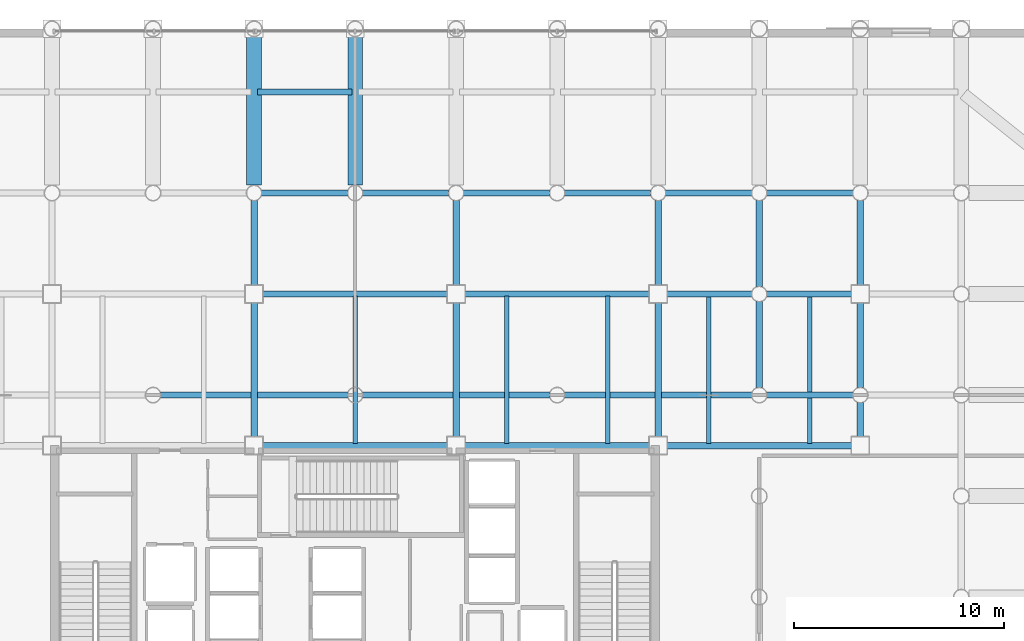
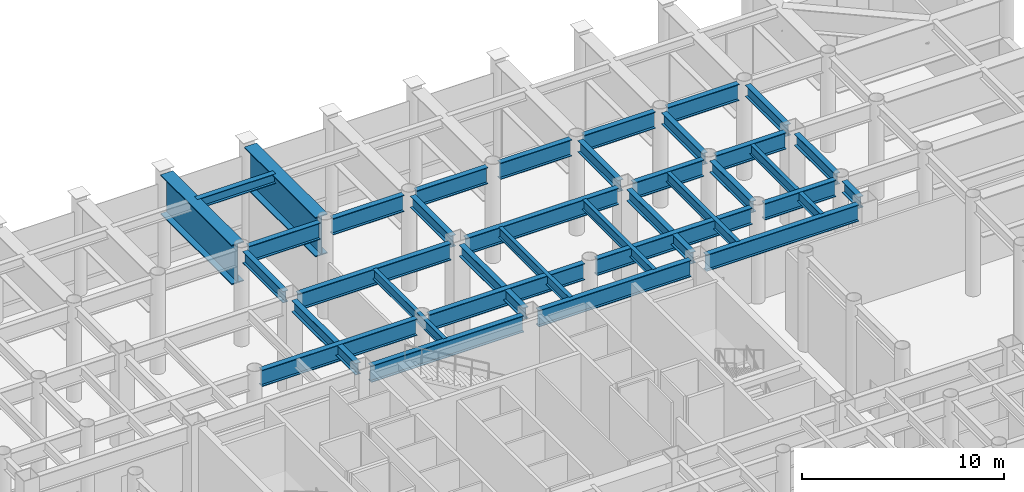
# One storey, part 11 of 26: 36 beams.
"""IFC4 building model written with IfcOpenShell, lengths in metres."""

from ifc_helpers import new_model, si_unit, direction, frame, origin, origin_2d, place, context, subcontext, project, spatial, i_section, extrude, material, material_profile, profile_set, type_object, element, save


model = new_model("IFC4")

# Units and contexts
model_context = context("Model", 3, precision=1e-05, world=origin(), true_north=direction((0.0, 1.0)))
body_context = subcontext(model_context, "Body", "Model", "MODEL_VIEW")
ifc_project = project(units=[si_unit("LENGTHUNIT", "METRE"), si_unit("AREAUNIT", "SQUARE_METRE"), si_unit("VOLUMEUNIT", "CUBIC_METRE"), si_unit("PLANEANGLEUNIT", "RADIAN"), si_unit("MASSUNIT", "GRAM", prefix="KILO")], contexts=[model_context])

# Site, building, storey
site_placement = place(None, origin())
site = spatial("IfcSite", under=ifc_project, at=site_placement, CompositionType="ELEMENT")
building_placement = place(site_placement, origin())
building = spatial("IfcBuilding", under=site, at=building_placement, Name="Kallvorn Hotel Tower", CompositionType="ELEMENT")
storey_placement = place(building_placement, frame((0.0, 0.0, 6.0)))
storey = spatial("IfcBuildingStorey", under=building, at=storey_placement, Name="L01", CompositionType="ELEMENT", Elevation=6.0)

# Beams
ifc_material_1 = material(Name="Structural steel S355JR", Category="steel")
ifc_material_profile_1 = material_profile(ifc_material_1, i_section(OverallWidth=0.300048828125, OverallDepth=1.0, WebThickness=0.01904296875, FlangeThickness=0.035888671875, at=origin_2d()), Name="HE 1000 B")
ifc_profile_set_1 = profile_set([ifc_material_profile_1], Name="Structural steel S355JR")
beam_type_1 = type_object("IfcBeamType", Name="BM_HE1000B", PredefinedType="BEAM", material=ifc_profile_set_1)
for number, where, z_axis, x_axis, name in (
    (1, (-4.375, 7.199951171875, 5.280029296875), (1.0, 0.0, 0.0), (0.0, 1.0, 0.0), "L02 Primary X-Girder 86"),
    (2, (5.22509765625, 7.199951171875, 5.280029296875), (1.0, 0.0, 0.0), (0.0, 1.0, 0.0), "L02 Primary X-Girder 87"),
    (3, (14.824951171875, 7.199951171875, 5.280029296875), (1.0, 0.0, 0.0), (0.0, 1.0, 0.0), "L02 Primary X-Girder 88"),
):
    element("IfcBeam", number, at=place(storey_placement, frame(where, z_axis=z_axis, x_axis=x_axis)), inside=storey, type_object=beam_type_1, Name=name, PredefinedType="BEAM", context=body_context, shape_type="SweptSolid", body=[
        extrude(i_section(OverallWidth=0.300048828125, OverallDepth=1.0, WebThickness=0.01904296875, FlangeThickness=0.035888671875, at=origin_2d()), origin(), (0.0, 0.0, 1.0), 8.75),
    ])
for number, where, z_axis, x_axis, name in (
    (4, (-9.243896484375, 9.60009765625, 5.280029296875), (1.0, 0.0, 0.0), (0.0, 1.0, 0.0), "L02 Primary X-Girder 93"),
    (5, (0.35595703125, 9.60009765625, 5.280029296875), (1.0, 0.0, 0.0), (0.0, 1.0, 0.0), "L02 Primary X-Girder 94"),
    (6, (9.9560546875, 9.60009765625, 5.280029296875), (1.0, 0.0, 0.0), (0.0, 1.0, 0.0), "L02 Primary X-Girder 95"),
):
    element("IfcBeam", number, at=place(storey_placement, frame(where, z_axis=z_axis, x_axis=x_axis)), inside=storey, type_object=beam_type_1, Name=name, PredefinedType="BEAM", context=body_context, shape_type="SweptSolid", body=[
        extrude(i_section(OverallWidth=0.300048828125, OverallDepth=1.0, WebThickness=0.01904296875, FlangeThickness=0.035888671875, at=origin_2d()), origin(), (0.0, 0.0, 1.0), 8.887939453125),
    ])
beam_1_placement = place(storey_placement, frame((19.555908203125, 9.60009765625, 5.280029296875), z_axis=(1.0, 0.0, 0.0), x_axis=(0.0, 1.0, 0.0)))
element("IfcBeam", 7, at=beam_1_placement, inside=storey, type_object=beam_type_1, Name="L02 Primary X-Girder 96", PredefinedType="BEAM", context=body_context, shape_type="SweptSolid", body=[
    extrude(i_section(OverallWidth=0.300048828125, OverallDepth=1.0, WebThickness=0.01904296875, FlangeThickness=0.035888671875, at=origin_2d()), origin(), (0.0, 0.0, 1.0), 4.088134765625),
])
for number, where, z_axis, x_axis, name in (
    (8, (-4.375, 14.39990234375, 5.280029296875), (1.0, 0.0, 0.0), (0.0, 1.0, 0.0), "L02 Primary X-Girder 104"),
    (9, (5.22509765625, 14.39990234375, 5.280029296875), (1.0, 0.0, 0.0), (0.0, 1.0, 0.0), "L02 Primary X-Girder 105"),
):
    element("IfcBeam", number, at=place(storey_placement, frame(where, z_axis=z_axis, x_axis=x_axis)), inside=storey, type_object=beam_type_1, Name=name, PredefinedType="BEAM", context=body_context, shape_type="SweptSolid", body=[
        extrude(i_section(OverallWidth=0.300048828125, OverallDepth=1.0, WebThickness=0.01904296875, FlangeThickness=0.035888671875, at=origin_2d()), origin(), (0.0, 0.0, 1.0), 8.75),
    ])
for number, where, z_axis, x_axis, name in (
    (10, (14.824951171875, 14.39990234375, 5.280029296875), (1.0, 0.0, 0.0), (0.0, 1.0, 0.0), "L02 Primary X-Girder 106"),
    (11, (19.555908203125, 14.39990234375, 5.280029296875), (1.0, 0.0, 0.0), (0.0, 1.0, 0.0), "L02 Primary X-Girder 107"),
):
    element("IfcBeam", number, at=place(storey_placement, frame(where, z_axis=z_axis, x_axis=x_axis)), inside=storey, type_object=beam_type_1, Name=name, PredefinedType="BEAM", context=body_context, shape_type="SweptSolid", body=[
        extrude(i_section(OverallWidth=0.300048828125, OverallDepth=1.0, WebThickness=0.01904296875, FlangeThickness=0.035888671875, at=origin_2d()), origin(), (0.0, 0.0, 1.0), 4.01904296875),
    ])
for number, where, z_axis, x_axis, name in (
    (12, (-4.444091796875, 19.199951171875, 5.280029296875), (1.0, 0.0, 0.0), (0.0, 1.0, 0.0), "L02 Primary X-Girder 116"),
    (13, (0.35595703125, 19.199951171875, 5.280029296875), (1.0, 0.0, 0.0), (0.0, 1.0, 0.0), "L02 Primary X-Girder 117"),
):
    element("IfcBeam", number, at=place(storey_placement, frame(where, z_axis=z_axis, x_axis=x_axis)), inside=storey, type_object=beam_type_1, Name=name, PredefinedType="BEAM", context=body_context, shape_type="SweptSolid", body=[
        extrude(i_section(OverallWidth=0.300048828125, OverallDepth=1.0, WebThickness=0.01904296875, FlangeThickness=0.035888671875, at=origin_2d()), origin(), (0.0, 0.0, 1.0), 4.088134765625),
    ])
for number, where, z_axis, x_axis, name in (
    (14, (5.156005859375, 19.199951171875, 5.280029296875), (1.0, 0.0, 0.0), (0.0, 1.0, 0.0), "L02 Primary X-Girder 118"),
    (15, (9.9560546875, 19.199951171875, 5.280029296875), (1.0, 0.0, 0.0), (0.0, 1.0, 0.0), "L02 Primary X-Girder 119"),
    (16, (14.756103515625, 19.199951171875, 5.280029296875), (1.0, 0.0, 0.0), (0.0, 1.0, 0.0), "L02 Primary X-Girder 120"),
):
    element("IfcBeam", number, at=place(storey_placement, frame(where, z_axis=z_axis, x_axis=x_axis)), inside=storey, type_object=beam_type_1, Name=name, PredefinedType="BEAM", context=body_context, shape_type="SweptSolid", body=[
        extrude(i_section(OverallWidth=0.300048828125, OverallDepth=1.0, WebThickness=0.01904296875, FlangeThickness=0.035888671875, at=origin_2d()), origin(), (0.0, 0.0, 1.0), 4.087890625),
    ])
beam_2_placement = place(storey_placement, frame((19.555908203125, 19.199951171875, 5.280029296875), z_axis=(1.0, 0.0, 0.0), x_axis=(0.0, 1.0, 0.0)))
element("IfcBeam", 17, at=beam_2_placement, inside=storey, type_object=beam_type_1, Name="L02 Primary X-Girder 121", PredefinedType="BEAM", context=body_context, shape_type="SweptSolid", body=[
    extrude(i_section(OverallWidth=0.300048828125, OverallDepth=1.0, WebThickness=0.01904296875, FlangeThickness=0.035888671875, at=origin_2d()), origin(), (0.0, 0.0, 1.0), 4.088134765625),
])
ifc_material_2 = material(Name="Structural steel S355JR", Category="steel")
ifc_material_profile_2 = material_profile(ifc_material_2, i_section(OverallWidth=0.300048828125, OverallDepth=0.60009765625, WebThickness=0.015380859375, FlangeThickness=0.030029296875, at=origin_2d()), Name="HE 600 B")
ifc_profile_set_2 = profile_set([ifc_material_profile_2], Name="Structural steel S355JR")
beam_type_2 = type_object("IfcBeamType", Name="BM_HE600B", PredefinedType="SPANDREL", material=ifc_profile_set_2)
beam_3_placement = place(storey_placement, frame((-4.64990234375, 24.0, 5.47998046875), z_axis=(1.0, 0.0, 0.0), x_axis=(0.0, 1.0, 0.0)))
element("IfcBeam", 18, at=beam_3_placement, inside=storey, type_object=beam_type_2, Name="L02 Perimeter Spandrel 233", PredefinedType="SPANDREL", context=body_context, shape_type="SweptSolid", body=[
    extrude(i_section(OverallWidth=0.300048828125, OverallDepth=0.60009765625, WebThickness=0.015380859375, FlangeThickness=0.030029296875, at=origin_2d()), origin(), (0.0, 0.0, 1.0), 4.5),
])
ifc_material_3 = material(Name="Structural steel S355JR", Category="steel")
ifc_material_profile_3 = material_profile(ifc_material_3, i_section(OverallWidth=0.300048828125, OverallDepth=0.699951171875, WebThickness=0.01708984375, FlangeThickness=0.031982421875, at=origin_2d()), Name="HE 700 B")
ifc_profile_set_3 = profile_set([ifc_material_profile_3], Name="Structural steel S355JR")
beam_type_3 = type_object("IfcBeamType", Name="BM_HE700B", PredefinedType="BEAM", material=ifc_profile_set_3)
beam_4_placement = place(storey_placement, frame((-4.800048828125, 7.625, 5.429931640625), z_axis=(0.0, 1.0, 0.0), x_axis=(-1.0, 0.0, 0.0)))
element("IfcBeam", 19, at=beam_4_placement, inside=storey, type_object=beam_type_3, Name="L02 Primary Y-Girder 165", PredefinedType="BEAM", context=body_context, shape_type="SweptSolid", body=[
    extrude(i_section(OverallWidth=0.300048828125, OverallDepth=0.699951171875, WebThickness=0.01708984375, FlangeThickness=0.031982421875, at=origin_2d()), origin(), (0.0, 0.0, 1.0), 6.35009765625),
])
beam_5_placement = place(storey_placement, frame((-4.800048828125, 14.824951171875, 5.429931640625), z_axis=(0.0, 1.0, 0.0), x_axis=(-1.0, 0.0, 0.0)))
element("IfcBeam", 20, at=beam_5_placement, inside=storey, type_object=beam_type_3, Name="L02 Primary Y-Girder 166", PredefinedType="BEAM", context=body_context, shape_type="SweptSolid", body=[
    extrude(i_section(OverallWidth=0.300048828125, OverallDepth=0.699951171875, WebThickness=0.01708984375, FlangeThickness=0.031982421875, at=origin_2d()), origin(), (0.0, 0.0, 1.0), 4.01904296875),
])
beam_6_placement = place(storey_placement, frame((4.800048828125, 7.625, 5.429931640625), z_axis=(0.0, 1.0, 0.0), x_axis=(-1.0, 0.0, 0.0)))
element("IfcBeam", 21, at=beam_6_placement, inside=storey, type_object=beam_type_3, Name="L02 Primary Y-Girder 175", PredefinedType="BEAM", context=body_context, shape_type="SweptSolid", body=[
    extrude(i_section(OverallWidth=0.300048828125, OverallDepth=0.699951171875, WebThickness=0.01708984375, FlangeThickness=0.031982421875, at=origin_2d()), origin(), (0.0, 0.0, 1.0), 6.35009765625),
])
beam_7_placement = place(storey_placement, frame((4.800048828125, 14.824951171875, 5.429931640625), z_axis=(0.0, 1.0, 0.0), x_axis=(-1.0, 0.0, 0.0)))
element("IfcBeam", 22, at=beam_7_placement, inside=storey, type_object=beam_type_3, Name="L02 Primary Y-Girder 176", PredefinedType="BEAM", context=body_context, shape_type="SweptSolid", body=[
    extrude(i_section(OverallWidth=0.300048828125, OverallDepth=0.699951171875, WebThickness=0.01708984375, FlangeThickness=0.031982421875, at=origin_2d()), origin(), (0.0, 0.0, 1.0), 4.01904296875),
])
beam_8_placement = place(storey_placement, frame((14.39990234375, 7.625, 5.429931640625), z_axis=(0.0, 1.0, 0.0), x_axis=(-1.0, 0.0, 0.0)))
element("IfcBeam", 23, at=beam_8_placement, inside=storey, type_object=beam_type_3, Name="L02 Primary Y-Girder 185", PredefinedType="BEAM", context=body_context, shape_type="SweptSolid", body=[
    extrude(i_section(OverallWidth=0.300048828125, OverallDepth=0.699951171875, WebThickness=0.01708984375, FlangeThickness=0.031982421875, at=origin_2d()), origin(), (0.0, 0.0, 1.0), 6.35009765625),
])
beam_9_placement = place(storey_placement, frame((14.39990234375, 14.824951171875, 5.429931640625), z_axis=(0.0, 1.0, 0.0), x_axis=(-1.0, 0.0, 0.0)))
element("IfcBeam", 24, at=beam_9_placement, inside=storey, type_object=beam_type_3, Name="L02 Primary Y-Girder 186", PredefinedType="BEAM", context=body_context, shape_type="SweptSolid", body=[
    extrude(i_section(OverallWidth=0.300048828125, OverallDepth=0.699951171875, WebThickness=0.01708984375, FlangeThickness=0.031982421875, at=origin_2d()), origin(), (0.0, 0.0, 1.0), 4.01904296875),
])
for number, where, z_axis, x_axis, name in (
    (25, (19.199951171875, 9.9560546875, 5.429931640625), (0.0, 1.0, 0.0), (-1.0, 0.0, 0.0), "L02 Primary Y-Girder 195"),
    (26, (19.199951171875, 14.756103515625, 5.429931640625), (0.0, 1.0, 0.0), (-1.0, 0.0, 0.0), "L02 Primary Y-Girder 196"),
):
    element("IfcBeam", number, at=place(storey_placement, frame(where, z_axis=z_axis, x_axis=x_axis)), inside=storey, type_object=beam_type_3, Name=name, PredefinedType="BEAM", context=body_context, shape_type="SweptSolid", body=[
        extrude(i_section(OverallWidth=0.300048828125, OverallDepth=0.699951171875, WebThickness=0.01708984375, FlangeThickness=0.031982421875, at=origin_2d()), origin(), (0.0, 0.0, 1.0), 4.087890625),
    ])
beam_10_placement = place(storey_placement, frame((24.0, 7.625, 5.429931640625), z_axis=(0.0, 1.0, 0.0), x_axis=(-1.0, 0.0, 0.0)))
element("IfcBeam", 27, at=beam_10_placement, inside=storey, type_object=beam_type_3, Name="L02 Primary Y-Girder 202", PredefinedType="BEAM", context=body_context, shape_type="SweptSolid", body=[
    extrude(i_section(OverallWidth=0.300048828125, OverallDepth=0.699951171875, WebThickness=0.01708984375, FlangeThickness=0.031982421875, at=origin_2d()), origin(), (0.0, 0.0, 1.0), 1.618896484375),
])
for number, where, z_axis, x_axis, name in (
    (28, (24.0, 9.9560546875, 5.429931640625), (0.0, 1.0, 0.0), (-1.0, 0.0, 0.0), "L02 Primary Y-Girder 203"),
    (29, (24.0, 14.824951171875, 5.429931640625), (0.0, 1.0, 0.0), (-1.0, 0.0, 0.0), "L02 Primary Y-Girder 204"),
):
    element("IfcBeam", number, at=place(storey_placement, frame(where, z_axis=z_axis, x_axis=x_axis)), inside=storey, type_object=beam_type_3, Name=name, PredefinedType="BEAM", context=body_context, shape_type="SweptSolid", body=[
        extrude(i_section(OverallWidth=0.300048828125, OverallDepth=0.699951171875, WebThickness=0.01708984375, FlangeThickness=0.031982421875, at=origin_2d()), origin(), (0.0, 0.0, 1.0), 4.01904296875),
    ])
ifc_material_4 = material(Name="Structural steel S355JR", Category="steel")
ifc_material_profile_4 = material_profile(ifc_material_4, i_section(OverallWidth=0.219970703125, OverallDepth=0.60009765625, WebThickness=0.011962890625, FlangeThickness=0.01904296875, at=origin_2d()), Name="IPE 600")
ifc_profile_set_4 = profile_set([ifc_material_profile_4], Name="Structural steel S355JR")
beam_type_4 = type_object("IfcBeamType", Name="BM_IPE600", PredefinedType="JOIST", material=ifc_profile_set_4)
for number, where, z_axis, x_axis, name in (
    (30, (0.0, 7.300048828125, 5.47998046875), (0.0, 1.0, 0.0), (-1.0, 0.0, 0.0), "L02 Secondary Composite Joist 269"),
    (31, (7.199951171875, 7.300048828125, 5.47998046875), (0.0, 1.0, 0.0), (-1.0, 0.0, 0.0), "L02 Secondary Composite Joist 271"),
    (32, (12.0, 7.300048828125, 5.47998046875), (0.0, 1.0, 0.0), (-1.0, 0.0, 0.0), "L02 Secondary Composite Joist 273"),
    (33, (16.800048828125, 7.300048828125, 5.47998046875), (0.0, 1.0, 0.0), (-1.0, 0.0, 0.0), "L02 Secondary Composite Joist 275"),
    (34, (21.60009765625, 7.300048828125, 5.47998046875), (0.0, 1.0, 0.0), (-1.0, 0.0, 0.0), "L02 Secondary Composite Joist 277"),
):
    element("IfcBeam", number, at=place(storey_placement, frame(where, z_axis=z_axis, x_axis=x_axis)), inside=storey, type_object=beam_type_4, Name=name, PredefinedType="JOIST", context=body_context, shape_type="SweptSolid", body=[
        extrude(i_section(OverallWidth=0.219970703125, OverallDepth=0.60009765625, WebThickness=0.011962890625, FlangeThickness=0.01904296875, at=origin_2d()), origin(), (0.0, 0.0, 1.0), 7.0),
    ])
ifc_material_5 = material(Name="Structural steel S355JR", Category="steel")
ifc_material_profile_5 = material_profile(ifc_material_5, i_section(OverallWidth=0.699951171875, OverallDepth=2.39990234375, WebThickness=0.031982421875, FlangeThickness=0.06005859375, at=origin_2d()), Name="PG 2400x700x32x60")
ifc_profile_set_5 = profile_set([ifc_material_profile_5], Name="Structural steel S355JR")
beam_type_5 = type_object("IfcBeamType", Name="BM_PG_2400", PredefinedType="BEAM", material=ifc_profile_set_5)
for number, where, z_axis, x_axis, name in (
    (35, (-4.800048828125, 19.571044921875, 4.580078125), (0.0, 1.0, 0.0), (-1.0, 0.0, 0.0), "L02 Setback Transfer Girder 21"),
    (36, (0.0, 19.571044921875, 4.580078125), (0.0, 1.0, 0.0), (-1.0, 0.0, 0.0), "L02 Setback Transfer Girder 23"),
):
    element("IfcBeam", number, at=place(storey_placement, frame(where, z_axis=z_axis, x_axis=x_axis)), inside=storey, type_object=beam_type_5, Name=name, PredefinedType="BEAM", context=body_context, shape_type="SweptSolid", body=[
        extrude(i_section(OverallWidth=0.699951171875, OverallDepth=2.39990234375, WebThickness=0.031982421875, FlangeThickness=0.06005859375, at=origin_2d()), origin(), (0.0, 0.0, 1.0), 7.057861328125),
    ])

save(model, "model.ifc")
